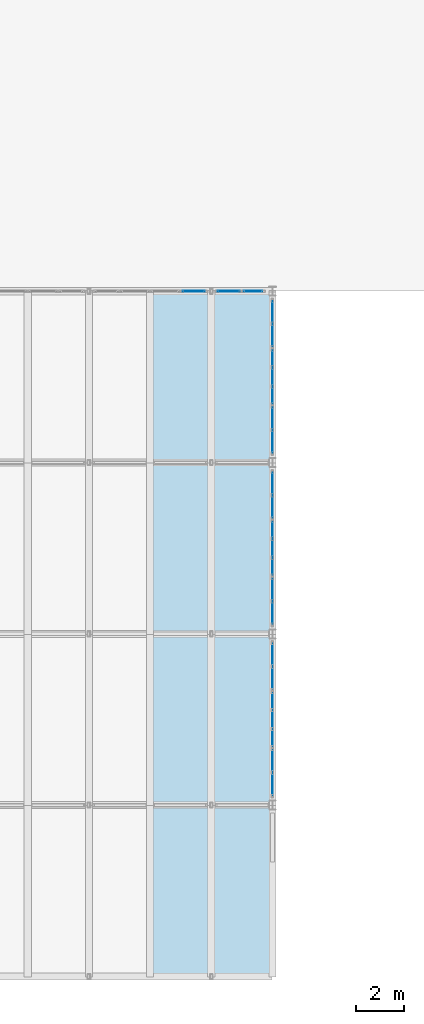
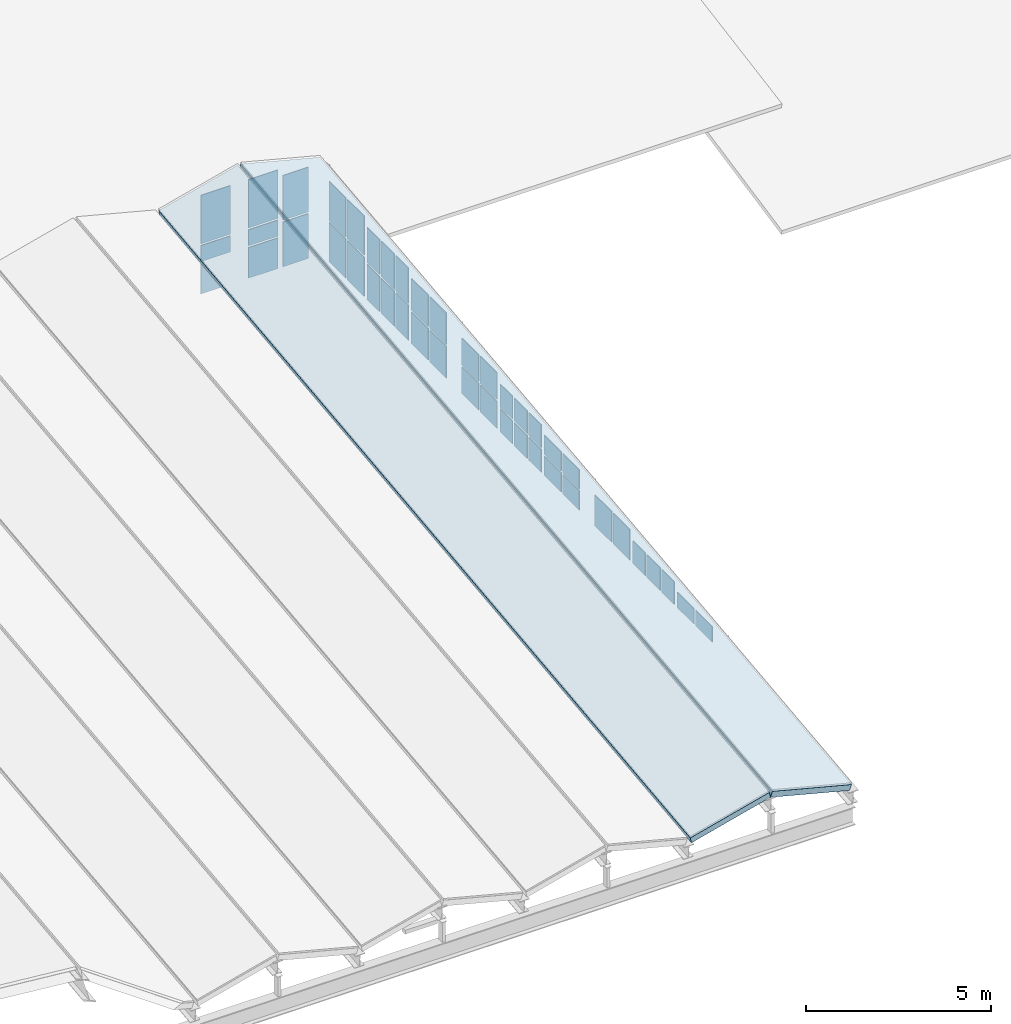
# One storey, part 29 of 39: 43 plates, 2 slabs, 13 elements without a shape of their own.
"""IFC4 building model written with IfcOpenShell, lengths in metres."""

from ifc_helpers import new_model, si_unit, direction, frame, origin, origin_2d, place, context, subcontext, project, spatial, polyline, rectangle, outline, extrude, material, layer, layer_set, type_object, element, aggregate, save


model = new_model("IFC4")

# Units and contexts
model_context = context("Model", 3, precision=1e-05, world=origin(), true_north=direction((0.0, 1.0)))
body_context = subcontext(model_context, "Body", "Model", "MODEL_VIEW")
ifc_project = project(units=[si_unit("LENGTHUNIT", "METRE"), si_unit("AREAUNIT", "SQUARE_METRE"), si_unit("VOLUMEUNIT", "CUBIC_METRE"), si_unit("PLANEANGLEUNIT", "RADIAN"), si_unit("MASSUNIT", "GRAM", prefix="KILO"), si_unit("THERMODYNAMICTEMPERATUREUNIT", "KELVIN"), si_unit("POWERUNIT", "WATT")], contexts=[model_context])

# Site, building, storey
site_placement = place(None, origin())
site = spatial("IfcSite", under=ifc_project, at=site_placement, CompositionType="ELEMENT")
building_placement = place(site_placement, origin())
building = spatial("IfcBuilding", under=site, at=building_placement, Name="Kaldorven Railside Theatre", CompositionType="ELEMENT")
storey_placement = place(building_placement, frame((0.0, 0.0, 27.300048828125)))
storey = spatial("IfcBuildingStorey", under=building, at=storey_placement, Name="ROOF", CompositionType="ELEMENT", Elevation=27.300048828125)

# Curtain wall, plates
ifc_material_1 = material(Name="Low-E laminated solar-control glass", Category="glass")
ifc_layer_1 = layer(ifc_material_1, 0.159912109375, Name="Low-E laminated solar-control glass")
ifc_layer_set_1 = layer_set([ifc_layer_1], Name="Low-E laminated solar-control glass")
curtain_wall_type_1 = type_object("IfcCurtainWallType", Name="CWT-48", PredefinedType="USERDEFINED", material=ifc_layer_set_1)
curtain_wall_1_placement = place(storey_placement, origin())
curtain_wall_1 = element("IfcCurtainWall", 1, at=curtain_wall_1_placement, inside=storey, type_object=curtain_wall_type_1, Name="Fly-Tower North Crown Clerestory CWG-088", ObjectType="FLUTED GLAZING", PredefinedType="USERDEFINED")
ifc_layer_2 = layer(ifc_material_1, 0.028076171875, Name="Low-E laminated solar-control glass")
ifc_layer_set_2 = layer_set([ifc_layer_2], Name="Low-E laminated solar-control glass")
plate_type = type_object("IfcPlateType", Name="CWP-GLZ28", PredefinedType="CURTAIN_PANEL", material=ifc_layer_set_2)
plate_1_placement = place(storey_placement, frame((119.8857421875, 112.800048828125, 0.080078125), z_axis=(0.0, 0.0, 1.0), x_axis=(1.0, 0.0, 0.0)))
plate_1 = element("IfcPlate", 2, at=plate_1_placement, type_object=plate_type, Name="CWG-088 panel 1.1", PredefinedType="CURTAIN_PANEL", context=body_context, shape_type="SweptSolid", body=[
    extrude(rectangle(XDim=0.925537109375, YDim=0.028076171875, at=origin_2d()), origin(), (0.0, 0.0, 1.0), 1.010009765625),
])
plate_2_placement = place(storey_placement, frame((119.8857421875, 112.800048828125, 1.14990234375), z_axis=(0.0, 0.0, 1.0), x_axis=(1.0, 0.0, 0.0)))
plate_2 = element("IfcPlate", 3, at=plate_2_placement, type_object=plate_type, Name="CWG-088 panel 1.2", PredefinedType="CURTAIN_PANEL", context=body_context, shape_type="SweptSolid", body=[
    extrude(rectangle(XDim=0.925537109375, YDim=0.028076171875, at=origin_2d()), origin(), (0.0, 0.0, 1.0), 0.530029296875),
])
plate_3_placement = place(storey_placement, frame((119.8857421875, 112.800048828125, 1.739990234375), z_axis=(0.0, 0.0, 1.0), x_axis=(1.0, 0.0, 0.0)))
plate_3 = element("IfcPlate", 4, at=plate_3_placement, type_object=plate_type, Name="CWG-088 panel 1.3", PredefinedType="CURTAIN_PANEL", context=body_context, shape_type="SweptSolid", body=[
    extrude(rectangle(XDim=0.925537109375, YDim=0.028076171875, at=origin_2d()), origin(), (0.0, 0.0, 1.0), 1.60009765625),
])
aggregate(curtain_wall_1, [plate_1, plate_2, plate_3])

curtain_wall_2_placement = place(storey_placement, origin())
curtain_wall_2 = element("IfcCurtainWall", 5, at=curtain_wall_2_placement, inside=storey, type_object=curtain_wall_type_1, Name="Fly-Tower North Crown Clerestory CWG-089", ObjectType="FLUTED GLAZING", PredefinedType="USERDEFINED")
plate_4_placement = place(storey_placement, frame((121.371337890625, 112.800048828125, 0.080078125), z_axis=(0.0, 0.0, 1.0), x_axis=(1.0, 0.0, 0.0)))
plate_4 = element("IfcPlate", 6, at=plate_4_placement, type_object=plate_type, Name="CWG-089 panel 1.1", PredefinedType="CURTAIN_PANEL", context=body_context, shape_type="SweptSolid", body=[
    extrude(rectangle(XDim=0.92578125, YDim=0.028076171875, at=origin_2d()), origin(), (0.0, 0.0, 1.0), 1.010009765625),
])
plate_5_placement = place(storey_placement, frame((121.371337890625, 112.800048828125, 1.14990234375), z_axis=(0.0, 0.0, 1.0), x_axis=(1.0, 0.0, 0.0)))
plate_5 = element("IfcPlate", 7, at=plate_5_placement, type_object=plate_type, Name="CWG-089 panel 1.2", PredefinedType="CURTAIN_PANEL", context=body_context, shape_type="SweptSolid", body=[
    extrude(rectangle(XDim=0.92578125, YDim=0.028076171875, at=origin_2d()), origin(), (0.0, 0.0, 1.0), 0.530029296875),
])
plate_6_placement = place(storey_placement, frame((121.371337890625, 112.800048828125, 1.739990234375), z_axis=(0.0, 0.0, 1.0), x_axis=(1.0, 0.0, 0.0)))
plate_6 = element("IfcPlate", 8, at=plate_6_placement, type_object=plate_type, Name="CWG-089 panel 1.3", PredefinedType="CURTAIN_PANEL", context=body_context, shape_type="SweptSolid", body=[
    extrude(rectangle(XDim=0.92578125, YDim=0.028076171875, at=origin_2d()), origin(), (0.0, 0.0, 1.0), 1.60009765625),
])
aggregate(curtain_wall_2, [plate_4, plate_5, plate_6])

ifc_layer_3 = layer(ifc_material_1, 0.159912109375, Name="Low-E laminated solar-control glass")
ifc_layer_set_3 = layer_set([ifc_layer_3], Name="Low-E laminated solar-control glass")
curtain_wall_type_2 = type_object("IfcCurtainWallType", Name="CWT-47", PredefinedType="USERDEFINED", material=ifc_layer_set_3)
curtain_wall_3_placement = place(storey_placement, origin())
curtain_wall_3 = element("IfcCurtainWall", 9, at=curtain_wall_3_placement, inside=storey, type_object=curtain_wall_type_2, Name="Fly-Tower North Crown Clerestory CWG-090", ObjectType="FLUTED GLAZING", PredefinedType="USERDEFINED")
plate_7_placement = place(storey_placement, frame((122.38720703125, 112.800048828125, 0.080078125), z_axis=(0.0, 0.0, 1.0), x_axis=(1.0, 0.0, 0.0)))
plate_7 = element("IfcPlate", 10, at=plate_7_placement, type_object=plate_type, Name="CWG-090 panel 1.1", PredefinedType="CURTAIN_PANEL", context=body_context, shape_type="SweptSolid", body=[
    extrude(rectangle(XDim=0.78564453125, YDim=0.028076171875, at=origin_2d()), origin(), (0.0, 0.0, 1.0), 1.47998046875),
])
plate_8_placement = place(storey_placement, frame((122.38720703125, 112.800048828125, 1.619873046875), z_axis=(0.0, 0.0, 1.0), x_axis=(1.0, 0.0, 0.0)))
plate_8 = element("IfcPlate", 11, at=plate_8_placement, type_object=plate_type, Name="CWG-090 panel 1.2", PredefinedType="CURTAIN_PANEL", context=body_context, shape_type="SweptSolid", body=[
    extrude(rectangle(XDim=0.78564453125, YDim=0.028076171875, at=origin_2d()), origin(), (0.0, 0.0, 1.0), 1.47998046875),
])
aggregate(curtain_wall_3, [plate_7, plate_8])

ifc_layer_4 = layer(ifc_material_1, 0.159912109375, Name="Low-E laminated solar-control glass")
ifc_layer_set_4 = layer_set([ifc_layer_4], Name="Low-E laminated solar-control glass")
curtain_wall_type_3 = type_object("IfcCurtainWallType", Name="CWT-53", PredefinedType="USERDEFINED", material=ifc_layer_set_4)
curtain_wall_4_placement = place(storey_placement, origin())
curtain_wall_4 = element("IfcCurtainWall", 12, at=curtain_wall_4_placement, inside=storey, type_object=curtain_wall_type_3, Name="Fly-Tower East Crown Clerestory CWG-102", ObjectType="FLUTED GLAZING", PredefinedType="USERDEFINED")
plate_9_placement = place(storey_placement, frame((123.199951171875, 92.074951171875, 0.080078125), z_axis=(0.0, 0.0, 1.0), x_axis=(0.0, 1.0, 0.0)))
plate_9 = element("IfcPlate", 13, at=plate_9_placement, type_object=plate_type, Name="CWG-102 panel 1.1", PredefinedType="CURTAIN_PANEL", context=body_context, shape_type="SweptSolid", body=[
    extrude(rectangle(XDim=0.909912109375, YDim=0.028076171875, at=origin_2d()), origin(), (0.0, 0.0, 1.0), 0.510009765625),
])
plate_10_placement = place(storey_placement, frame((123.199951171875, 93.06494140625, 0.080078125), z_axis=(0.0, 0.0, 1.0), x_axis=(0.0, 1.0, 0.0)))
plate_10 = element("IfcPlate", 14, at=plate_10_placement, type_object=plate_type, Name="CWG-102 panel 2.1", PredefinedType="CURTAIN_PANEL", context=body_context, shape_type="SweptSolid", body=[
    extrude(rectangle(XDim=0.909912109375, YDim=0.028076171875, at=origin_2d()), origin(), (0.0, 0.0, 1.0), 0.510009765625),
])
aggregate(curtain_wall_4, [plate_9, plate_10])

ifc_layer_5 = layer(ifc_material_1, 0.159912109375, Name="Low-E laminated solar-control glass")
ifc_layer_set_5 = layer_set([ifc_layer_5], Name="Low-E laminated solar-control glass")
curtain_wall_type_4 = type_object("IfcCurtainWallType", Name="CWT-27", PredefinedType="USERDEFINED", material=ifc_layer_set_5)
curtain_wall_5_placement = place(storey_placement, origin())
curtain_wall_5 = element("IfcCurtainWall", 15, at=curtain_wall_5_placement, inside=storey, type_object=curtain_wall_type_4, Name="Fly-Tower East Crown Clerestory CWG-103", ObjectType="FLUTED GLAZING", PredefinedType="USERDEFINED")
plate_11_placement = place(storey_placement, frame((123.199951171875, 94.02001953125, 0.079833984375), z_axis=(0.0, 0.0, 1.0), x_axis=(0.0, 1.0, 0.0)))
plate_11 = element("IfcPlate", 16, at=plate_11_placement, type_object=plate_type, Name="CWG-103 panel 1.1", PredefinedType="CURTAIN_PANEL", context=body_context, shape_type="SweptSolid", body=[
    extrude(rectangle(XDim=0.679931640625, YDim=0.028076171875, at=origin_2d()), origin(), (0.0, 0.0, 1.0), 0.75),
])
plate_12_placement = place(storey_placement, frame((123.199951171875, 94.800048828125, 0.079833984375), z_axis=(0.0, 0.0, 1.0), x_axis=(0.0, 1.0, 0.0)))
plate_12 = element("IfcPlate", 17, at=plate_12_placement, type_object=plate_type, Name="CWG-103 panel 2.1", PredefinedType="CURTAIN_PANEL", context=body_context, shape_type="SweptSolid", body=[
    extrude(rectangle(XDim=0.719970703125, YDim=0.028076171875, at=origin_2d()), origin(), (0.0, 0.0, 1.0), 0.75),
])
plate_13_placement = place(storey_placement, frame((123.199951171875, 95.580078125, 0.079833984375), z_axis=(0.0, 0.0, 1.0), x_axis=(0.0, 1.0, 0.0)))
plate_13 = element("IfcPlate", 18, at=plate_13_placement, type_object=plate_type, Name="CWG-103 panel 3.1", PredefinedType="CURTAIN_PANEL", context=body_context, shape_type="SweptSolid", body=[
    extrude(rectangle(XDim=0.679931640625, YDim=0.028076171875, at=origin_2d()), origin(), (0.0, 0.0, 1.0), 0.75),
])
aggregate(curtain_wall_5, [plate_11, plate_12, plate_13])

ifc_layer_6 = layer(ifc_material_1, 0.159912109375, Name="Low-E laminated solar-control glass")
ifc_layer_set_6 = layer_set([ifc_layer_6], Name="Low-E laminated solar-control glass")
curtain_wall_type_5 = type_object("IfcCurtainWallType", Name="CWT-54", PredefinedType="USERDEFINED", material=ifc_layer_set_6)
curtain_wall_6_placement = place(storey_placement, origin())
curtain_wall_6 = element("IfcCurtainWall", 19, at=curtain_wall_6_placement, inside=storey, type_object=curtain_wall_type_5, Name="Fly-Tower East Crown Clerestory CWG-104", ObjectType="FLUTED GLAZING", PredefinedType="USERDEFINED")
plate_14_placement = place(storey_placement, frame((123.199951171875, 96.534912109375, 0.079833984375), z_axis=(0.0, 0.0, 1.0), x_axis=(0.0, 1.0, 0.0)))
plate_14 = element("IfcPlate", 20, at=plate_14_placement, type_object=plate_type, Name="CWG-104 panel 1.1", PredefinedType="CURTAIN_PANEL", context=body_context, shape_type="SweptSolid", body=[
    extrude(rectangle(XDim=0.909912109375, YDim=0.028076171875, at=origin_2d()), origin(), (0.0, 0.0, 1.0), 1.02001953125),
])
plate_15_placement = place(storey_placement, frame((123.199951171875, 97.52490234375, 0.079833984375), z_axis=(0.0, 0.0, 1.0), x_axis=(0.0, 1.0, 0.0)))
plate_15 = element("IfcPlate", 21, at=plate_15_placement, type_object=plate_type, Name="CWG-104 panel 2.1", PredefinedType="CURTAIN_PANEL", context=body_context, shape_type="SweptSolid", body=[
    extrude(rectangle(XDim=0.909912109375, YDim=0.028076171875, at=origin_2d()), origin(), (0.0, 0.0, 1.0), 1.02001953125),
])
aggregate(curtain_wall_6, [plate_14, plate_15])

ifc_layer_7 = layer(ifc_material_1, 0.159912109375, Name="Low-E laminated solar-control glass")
ifc_layer_set_7 = layer_set([ifc_layer_7], Name="Low-E laminated solar-control glass")
curtain_wall_type_6 = type_object("IfcCurtainWallType", Name="CWT-55", PredefinedType="USERDEFINED", material=ifc_layer_set_7)
curtain_wall_7_placement = place(storey_placement, origin())
curtain_wall_7 = element("IfcCurtainWall", 22, at=curtain_wall_7_placement, inside=storey, type_object=curtain_wall_type_6, Name="Fly-Tower East Crown Clerestory CWG-105", ObjectType="FLUTED GLAZING", PredefinedType="USERDEFINED")
plate_16_placement = place(storey_placement, frame((123.199951171875, 99.27490234375, 0.080078125), z_axis=(0.0, 0.0, 1.0), x_axis=(0.0, 1.0, 0.0)))
plate_16 = element("IfcPlate", 23, at=plate_16_placement, type_object=plate_type, Name="CWG-105 panel 1.1", PredefinedType="CURTAIN_PANEL", context=body_context, shape_type="SweptSolid", body=[
    extrude(rectangle(XDim=0.909912109375, YDim=0.028076171875, at=origin_2d()), origin(), (0.0, 0.0, 1.0), 0.635009765625),
])
plate_17_placement = place(storey_placement, frame((123.199951171875, 99.27490234375, 0.77490234375), z_axis=(0.0, 0.0, 1.0), x_axis=(0.0, 1.0, 0.0)))
plate_17 = element("IfcPlate", 24, at=plate_17_placement, type_object=plate_type, Name="CWG-105 panel 1.2", PredefinedType="CURTAIN_PANEL", context=body_context, shape_type="SweptSolid", body=[
    extrude(rectangle(XDim=0.909912109375, YDim=0.028076171875, at=origin_2d()), origin(), (0.0, 0.0, 1.0), 0.635009765625),
])
plate_18_placement = place(storey_placement, frame((123.199951171875, 100.264892578125, 0.080078125), z_axis=(0.0, 0.0, 1.0), x_axis=(0.0, 1.0, 0.0)))
plate_18 = element("IfcPlate", 25, at=plate_18_placement, type_object=plate_type, Name="CWG-105 panel 2.1", PredefinedType="CURTAIN_PANEL", context=body_context, shape_type="SweptSolid", body=[
    extrude(rectangle(XDim=0.909912109375, YDim=0.028076171875, at=origin_2d()), origin(), (0.0, 0.0, 1.0), 0.635009765625),
])
plate_19_placement = place(storey_placement, frame((123.199951171875, 100.264892578125, 0.77490234375), z_axis=(0.0, 0.0, 1.0), x_axis=(0.0, 1.0, 0.0)))
plate_19 = element("IfcPlate", 26, at=plate_19_placement, type_object=plate_type, Name="CWG-105 panel 2.2", PredefinedType="CURTAIN_PANEL", context=body_context, shape_type="SweptSolid", body=[
    extrude(rectangle(XDim=0.909912109375, YDim=0.028076171875, at=origin_2d()), origin(), (0.0, 0.0, 1.0), 0.635009765625),
])
aggregate(curtain_wall_7, [plate_16, plate_17, plate_18, plate_19])

ifc_layer_8 = layer(ifc_material_1, 0.159912109375, Name="Low-E laminated solar-control glass")
ifc_layer_set_8 = layer_set([ifc_layer_8], Name="Low-E laminated solar-control glass")
curtain_wall_type_7 = type_object("IfcCurtainWallType", Name="CWT-56", PredefinedType="USERDEFINED", material=ifc_layer_set_8)
curtain_wall_8_placement = place(storey_placement, origin())
curtain_wall_8 = element("IfcCurtainWall", 27, at=curtain_wall_8_placement, inside=storey, type_object=curtain_wall_type_7, Name="Fly-Tower East Crown Clerestory CWG-106", ObjectType="FLUTED GLAZING", PredefinedType="USERDEFINED")
plate_20_placement = place(storey_placement, frame((123.199951171875, 101.219970703125, 0.080078125), z_axis=(0.0, 0.0, 1.0), x_axis=(0.0, 1.0, 0.0)))
plate_20 = element("IfcPlate", 28, at=plate_20_placement, type_object=plate_type, Name="CWG-106 panel 1.1", PredefinedType="CURTAIN_PANEL", context=body_context, shape_type="SweptSolid", body=[
    extrude(rectangle(XDim=0.679931640625, YDim=0.028076171875, at=origin_2d()), origin(), (0.0, 0.0, 1.0), 0.7548828125),
])
plate_21_placement = place(storey_placement, frame((123.199951171875, 101.219970703125, 0.89501953125), z_axis=(0.0, 0.0, 1.0), x_axis=(0.0, 1.0, 0.0)))
plate_21 = element("IfcPlate", 29, at=plate_21_placement, type_object=plate_type, Name="CWG-106 panel 1.2", PredefinedType="CURTAIN_PANEL", context=body_context, shape_type="SweptSolid", body=[
    extrude(rectangle(XDim=0.679931640625, YDim=0.028076171875, at=origin_2d()), origin(), (0.0, 0.0, 1.0), 0.7548828125),
])
plate_22_placement = place(storey_placement, frame((123.199951171875, 102.0, 0.080078125), z_axis=(0.0, 0.0, 1.0), x_axis=(0.0, 1.0, 0.0)))
plate_22 = element("IfcPlate", 30, at=plate_22_placement, type_object=plate_type, Name="CWG-106 panel 2.1", PredefinedType="CURTAIN_PANEL", context=body_context, shape_type="SweptSolid", body=[
    extrude(rectangle(XDim=0.719970703125, YDim=0.028076171875, at=origin_2d()), origin(), (0.0, 0.0, 1.0), 0.7548828125),
])
plate_23_placement = place(storey_placement, frame((123.199951171875, 102.0, 0.89501953125), z_axis=(0.0, 0.0, 1.0), x_axis=(0.0, 1.0, 0.0)))
plate_23 = element("IfcPlate", 31, at=plate_23_placement, type_object=plate_type, Name="CWG-106 panel 2.2", PredefinedType="CURTAIN_PANEL", context=body_context, shape_type="SweptSolid", body=[
    extrude(rectangle(XDim=0.719970703125, YDim=0.028076171875, at=origin_2d()), origin(), (0.0, 0.0, 1.0), 0.7548828125),
])
plate_24_placement = place(storey_placement, frame((123.199951171875, 102.780029296875, 0.080078125), z_axis=(0.0, 0.0, 1.0), x_axis=(0.0, 1.0, 0.0)))
plate_24 = element("IfcPlate", 32, at=plate_24_placement, type_object=plate_type, Name="CWG-106 panel 3.1", PredefinedType="CURTAIN_PANEL", context=body_context, shape_type="SweptSolid", body=[
    extrude(rectangle(XDim=0.679931640625, YDim=0.028076171875, at=origin_2d()), origin(), (0.0, 0.0, 1.0), 0.7548828125),
])
plate_25_placement = place(storey_placement, frame((123.199951171875, 102.780029296875, 0.89501953125), z_axis=(0.0, 0.0, 1.0), x_axis=(0.0, 1.0, 0.0)))
plate_25 = element("IfcPlate", 33, at=plate_25_placement, type_object=plate_type, Name="CWG-106 panel 3.2", PredefinedType="CURTAIN_PANEL", context=body_context, shape_type="SweptSolid", body=[
    extrude(rectangle(XDim=0.679931640625, YDim=0.028076171875, at=origin_2d()), origin(), (0.0, 0.0, 1.0), 0.7548828125),
])
aggregate(curtain_wall_8, [plate_20, plate_21, plate_22, plate_23, plate_24, plate_25])

ifc_layer_9 = layer(ifc_material_1, 0.159912109375, Name="Low-E laminated solar-control glass")
ifc_layer_set_9 = layer_set([ifc_layer_9], Name="Low-E laminated solar-control glass")
curtain_wall_type_8 = type_object("IfcCurtainWallType", Name="CWT-57", PredefinedType="USERDEFINED", material=ifc_layer_set_9)
curtain_wall_9_placement = place(storey_placement, origin())
curtain_wall_9 = element("IfcCurtainWall", 34, at=curtain_wall_9_placement, inside=storey, type_object=curtain_wall_type_8, Name="Fly-Tower East Crown Clerestory CWG-107", ObjectType="FLUTED GLAZING", PredefinedType="USERDEFINED")
plate_26_placement = place(storey_placement, frame((123.199951171875, 103.735107421875, 0.080078125), z_axis=(0.0, 0.0, 1.0), x_axis=(0.0, 1.0, 0.0)))
plate_26 = element("IfcPlate", 35, at=plate_26_placement, type_object=plate_type, Name="CWG-107 panel 1.1", PredefinedType="CURTAIN_PANEL", context=body_context, shape_type="SweptSolid", body=[
    extrude(rectangle(XDim=0.909912109375, YDim=0.028076171875, at=origin_2d()), origin(), (0.0, 0.0, 1.0), 0.889892578125),
])
plate_27_placement = place(storey_placement, frame((123.199951171875, 103.735107421875, 1.02978515625), z_axis=(0.0, 0.0, 1.0), x_axis=(0.0, 1.0, 0.0)))
plate_27 = element("IfcPlate", 36, at=plate_27_placement, type_object=plate_type, Name="CWG-107 panel 1.2", PredefinedType="CURTAIN_PANEL", context=body_context, shape_type="SweptSolid", body=[
    extrude(rectangle(XDim=0.909912109375, YDim=0.028076171875, at=origin_2d()), origin(), (0.0, 0.0, 1.0), 0.889892578125),
])
plate_28_placement = place(storey_placement, frame((123.199951171875, 104.72509765625, 0.080078125), z_axis=(0.0, 0.0, 1.0), x_axis=(0.0, 1.0, 0.0)))
plate_28 = element("IfcPlate", 37, at=plate_28_placement, type_object=plate_type, Name="CWG-107 panel 2.1", PredefinedType="CURTAIN_PANEL", context=body_context, shape_type="SweptSolid", body=[
    extrude(rectangle(XDim=0.909912109375, YDim=0.028076171875, at=origin_2d()), origin(), (0.0, 0.0, 1.0), 0.889892578125),
])
plate_29_placement = place(storey_placement, frame((123.199951171875, 104.72509765625, 1.02978515625), z_axis=(0.0, 0.0, 1.0), x_axis=(0.0, 1.0, 0.0)))
plate_29 = element("IfcPlate", 38, at=plate_29_placement, type_object=plate_type, Name="CWG-107 panel 2.2", PredefinedType="CURTAIN_PANEL", context=body_context, shape_type="SweptSolid", body=[
    extrude(rectangle(XDim=0.909912109375, YDim=0.028076171875, at=origin_2d()), origin(), (0.0, 0.0, 1.0), 0.889892578125),
])
aggregate(curtain_wall_9, [plate_26, plate_27, plate_28, plate_29])

ifc_layer_10 = layer(ifc_material_1, 0.159912109375, Name="Low-E laminated solar-control glass")
ifc_layer_set_10 = layer_set([ifc_layer_10], Name="Low-E laminated solar-control glass")
curtain_wall_type_9 = type_object("IfcCurtainWallType", Name="CWT-58", PredefinedType="USERDEFINED", material=ifc_layer_set_10)
curtain_wall_10_placement = place(storey_placement, origin())
curtain_wall_10 = element("IfcCurtainWall", 39, at=curtain_wall_10_placement, inside=storey, type_object=curtain_wall_type_9, Name="Fly-Tower East Crown Clerestory CWG-108", ObjectType="FLUTED GLAZING", PredefinedType="USERDEFINED")
plate_30_placement = place(storey_placement, frame((123.199951171875, 106.47509765625, 0.080078125), z_axis=(0.0, 0.0, 1.0), x_axis=(0.0, 1.0, 0.0)))
plate_30 = element("IfcPlate", 40, at=plate_30_placement, type_object=plate_type, Name="CWG-108 panel 1.1", PredefinedType="CURTAIN_PANEL", context=body_context, shape_type="SweptSolid", body=[
    extrude(rectangle(XDim=0.909912109375, YDim=0.028076171875, at=origin_2d()), origin(), (0.0, 0.0, 1.0), 1.044921875),
])
plate_31_placement = place(storey_placement, frame((123.199951171875, 106.47509765625, 1.18505859375), z_axis=(0.0, 0.0, 1.0), x_axis=(0.0, 1.0, 0.0)))
plate_31 = element("IfcPlate", 41, at=plate_31_placement, type_object=plate_type, Name="CWG-108 panel 1.2", PredefinedType="CURTAIN_PANEL", context=body_context, shape_type="SweptSolid", body=[
    extrude(rectangle(XDim=0.909912109375, YDim=0.028076171875, at=origin_2d()), origin(), (0.0, 0.0, 1.0), 1.044921875),
])
plate_32_placement = place(storey_placement, frame((123.199951171875, 107.465087890625, 0.080078125), z_axis=(0.0, 0.0, 1.0), x_axis=(0.0, 1.0, 0.0)))
plate_32 = element("IfcPlate", 42, at=plate_32_placement, type_object=plate_type, Name="CWG-108 panel 2.1", PredefinedType="CURTAIN_PANEL", context=body_context, shape_type="SweptSolid", body=[
    extrude(rectangle(XDim=0.909912109375, YDim=0.028076171875, at=origin_2d()), origin(), (0.0, 0.0, 1.0), 1.044921875),
])
plate_33_placement = place(storey_placement, frame((123.199951171875, 107.465087890625, 1.18505859375), z_axis=(0.0, 0.0, 1.0), x_axis=(0.0, 1.0, 0.0)))
plate_33 = element("IfcPlate", 43, at=plate_33_placement, type_object=plate_type, Name="CWG-108 panel 2.2", PredefinedType="CURTAIN_PANEL", context=body_context, shape_type="SweptSolid", body=[
    extrude(rectangle(XDim=0.909912109375, YDim=0.028076171875, at=origin_2d()), origin(), (0.0, 0.0, 1.0), 1.044921875),
])
aggregate(curtain_wall_10, [plate_30, plate_31, plate_32, plate_33])

ifc_layer_11 = layer(ifc_material_1, 0.159912109375, Name="Low-E laminated solar-control glass")
ifc_layer_set_11 = layer_set([ifc_layer_11], Name="Low-E laminated solar-control glass")
curtain_wall_type_10 = type_object("IfcCurtainWallType", Name="CWT-33", PredefinedType="USERDEFINED", material=ifc_layer_set_11)
curtain_wall_11_placement = place(storey_placement, origin())
curtain_wall_11 = element("IfcCurtainWall", 44, at=curtain_wall_11_placement, inside=storey, type_object=curtain_wall_type_10, Name="Fly-Tower East Crown Clerestory CWG-109", ObjectType="FLUTED GLAZING", PredefinedType="USERDEFINED")
plate_34_placement = place(storey_placement, frame((123.199951171875, 108.419921875, 0.079833984375), z_axis=(0.0, 0.0, 1.0), x_axis=(0.0, 1.0, 0.0)))
plate_34 = element("IfcPlate", 45, at=plate_34_placement, type_object=plate_type, Name="CWG-109 panel 1.1", PredefinedType="CURTAIN_PANEL", context=body_context, shape_type="SweptSolid", body=[
    extrude(rectangle(XDim=0.679931640625, YDim=0.028076171875, at=origin_2d()), origin(), (0.0, 0.0, 1.0), 1.1650390625),
])
plate_35_placement = place(storey_placement, frame((123.199951171875, 108.419921875, 1.304931640625), z_axis=(0.0, 0.0, 1.0), x_axis=(0.0, 1.0, 0.0)))
plate_35 = element("IfcPlate", 46, at=plate_35_placement, type_object=plate_type, Name="CWG-109 panel 1.2", PredefinedType="CURTAIN_PANEL", context=body_context, shape_type="SweptSolid", body=[
    extrude(rectangle(XDim=0.679931640625, YDim=0.028076171875, at=origin_2d()), origin(), (0.0, 0.0, 1.0), 1.1650390625),
])
plate_36_placement = place(storey_placement, frame((123.199951171875, 109.199951171875, 0.079833984375), z_axis=(0.0, 0.0, 1.0), x_axis=(0.0, 1.0, 0.0)))
plate_36 = element("IfcPlate", 47, at=plate_36_placement, type_object=plate_type, Name="CWG-109 panel 2.1", PredefinedType="CURTAIN_PANEL", context=body_context, shape_type="SweptSolid", body=[
    extrude(rectangle(XDim=0.719970703125, YDim=0.028076171875, at=origin_2d()), origin(), (0.0, 0.0, 1.0), 1.1650390625),
])
plate_37_placement = place(storey_placement, frame((123.199951171875, 109.199951171875, 1.304931640625), z_axis=(0.0, 0.0, 1.0), x_axis=(0.0, 1.0, 0.0)))
plate_37 = element("IfcPlate", 48, at=plate_37_placement, type_object=plate_type, Name="CWG-109 panel 2.2", PredefinedType="CURTAIN_PANEL", context=body_context, shape_type="SweptSolid", body=[
    extrude(rectangle(XDim=0.719970703125, YDim=0.028076171875, at=origin_2d()), origin(), (0.0, 0.0, 1.0), 1.1650390625),
])
plate_38_placement = place(storey_placement, frame((123.199951171875, 109.97998046875, 0.079833984375), z_axis=(0.0, 0.0, 1.0), x_axis=(0.0, 1.0, 0.0)))
plate_38 = element("IfcPlate", 49, at=plate_38_placement, type_object=plate_type, Name="CWG-109 panel 3.1", PredefinedType="CURTAIN_PANEL", context=body_context, shape_type="SweptSolid", body=[
    extrude(rectangle(XDim=0.679931640625, YDim=0.028076171875, at=origin_2d()), origin(), (0.0, 0.0, 1.0), 1.1650390625),
])
plate_39_placement = place(storey_placement, frame((123.199951171875, 109.97998046875, 1.304931640625), z_axis=(0.0, 0.0, 1.0), x_axis=(0.0, 1.0, 0.0)))
plate_39 = element("IfcPlate", 50, at=plate_39_placement, type_object=plate_type, Name="CWG-109 panel 3.2", PredefinedType="CURTAIN_PANEL", context=body_context, shape_type="SweptSolid", body=[
    extrude(rectangle(XDim=0.679931640625, YDim=0.028076171875, at=origin_2d()), origin(), (0.0, 0.0, 1.0), 1.1650390625),
])
aggregate(curtain_wall_11, [plate_34, plate_35, plate_36, plate_37, plate_38, plate_39])

ifc_layer_12 = layer(ifc_material_1, 0.159912109375, Name="Low-E laminated solar-control glass")
ifc_layer_set_12 = layer_set([ifc_layer_12], Name="Low-E laminated solar-control glass")
curtain_wall_type_11 = type_object("IfcCurtainWallType", Name="CWT-59", PredefinedType="USERDEFINED", material=ifc_layer_set_12)
curtain_wall_12_placement = place(storey_placement, origin())
curtain_wall_12 = element("IfcCurtainWall", 51, at=curtain_wall_12_placement, inside=storey, type_object=curtain_wall_type_11, Name="Fly-Tower East Crown Clerestory CWG-110", ObjectType="FLUTED GLAZING", PredefinedType="USERDEFINED")
plate_40_placement = place(storey_placement, frame((123.199951171875, 110.93505859375, 0.080078125), z_axis=(0.0, 0.0, 1.0), x_axis=(0.0, 1.0, 0.0)))
plate_40 = element("IfcPlate", 52, at=plate_40_placement, type_object=plate_type, Name="CWG-110 panel 1.1", PredefinedType="CURTAIN_PANEL", context=body_context, shape_type="SweptSolid", body=[
    extrude(rectangle(XDim=0.909912109375, YDim=0.028076171875, at=origin_2d()), origin(), (0.0, 0.0, 1.0), 1.300048828125),
])
plate_41_placement = place(storey_placement, frame((123.199951171875, 110.93505859375, 1.43994140625), z_axis=(0.0, 0.0, 1.0), x_axis=(0.0, 1.0, 0.0)))
plate_41 = element("IfcPlate", 53, at=plate_41_placement, type_object=plate_type, Name="CWG-110 panel 1.2", PredefinedType="CURTAIN_PANEL", context=body_context, shape_type="SweptSolid", body=[
    extrude(rectangle(XDim=0.909912109375, YDim=0.028076171875, at=origin_2d()), origin(), (0.0, 0.0, 1.0), 1.300048828125),
])
plate_42_placement = place(storey_placement, frame((123.199951171875, 111.925048828125, 0.080078125), z_axis=(0.0, 0.0, 1.0), x_axis=(0.0, 1.0, 0.0)))
plate_42 = element("IfcPlate", 54, at=plate_42_placement, type_object=plate_type, Name="CWG-110 panel 2.1", PredefinedType="CURTAIN_PANEL", context=body_context, shape_type="SweptSolid", body=[
    extrude(rectangle(XDim=0.909912109375, YDim=0.028076171875, at=origin_2d()), origin(), (0.0, 0.0, 1.0), 1.300048828125),
])
plate_43_placement = place(storey_placement, frame((123.199951171875, 111.925048828125, 1.43994140625), z_axis=(0.0, 0.0, 1.0), x_axis=(0.0, 1.0, 0.0)))
plate_43 = element("IfcPlate", 55, at=plate_43_placement, type_object=plate_type, Name="CWG-110 panel 2.2", PredefinedType="CURTAIN_PANEL", context=body_context, shape_type="SweptSolid", body=[
    extrude(rectangle(XDim=0.909912109375, YDim=0.028076171875, at=origin_2d()), origin(), (0.0, 0.0, 1.0), 1.300048828125),
])
aggregate(curtain_wall_12, [plate_40, plate_41, plate_42, plate_43])

# Roof, slabs
ifc_material_2 = material(Name="Concrete C35/45", Category="concrete")
roof_type = type_object("IfcRoofType", Name="RF-FOLDED-FLY", PredefinedType="BUTTERFLY_ROOF", material=ifc_material_2)
roof_placement = place(storey_placement, origin())
roof = element("IfcRoof", 56, at=roof_placement, inside=storey, type_object=roof_type, Name="Fly-Tower 7-Bay Folded-Plate Crown Roof", PredefinedType="BUTTERFLY_ROOF")
ifc_layer_13 = layer(ifc_material_2, 0.199951171875, Name="Concrete C35/45")
ifc_layer_set_13 = layer_set([ifc_layer_13], Name="Concrete C35/45")
slab_type = type_object("IfcSlabType", Name="SLB-RSL-200", PredefinedType="ROOF", material=ifc_layer_set_13)
slab_1_placement = place(storey_placement, frame((118.10498046875, 84.0, 0.012451171875), z_axis=(-0.248882307017, -0.109593505226, 0.962313286236), x_axis=(0.968145055348, -5.034762e-06, 0.25038999936)))
slab_1 = element("IfcSlab", 57, at=slab_1_placement, type_object=slab_type, Name="V2 Folded-Plate Roof Facet V2-FP-07L", PredefinedType="ROOF", context=body_context, shape_type="SweptSolid", body=[
    extrude(outline(polyline([(0.0, 0.0), (2.557010117078264, -1.3877787807814457e-17), (3.378151649245436, 28.97459458320502), (0.8210804017962346, 28.974568678990362), (0.0, 0.0)])), origin(), (0.0, 0.0, -1.0), 0.199951171875),
])
slab_2_placement = place(storey_placement, frame((120.676513671875, 84.0, 0.652587890625), z_axis=(0.248882307017, -0.109593505226, 0.962313286236), x_axis=(0.968145055348, 5.034762e-06, -0.25038999936)))
slab_2 = element("IfcSlab", 58, at=slab_2_placement, type_object=slab_type, Name="V2 Folded-Plate Roof Facet V2-FP-07R", PredefinedType="ROOF", context=body_context, shape_type="SweptSolid", body=[
    extrude(outline(polyline([(0.0, 0.0), (2.557010117078264, 1.3877787807814457e-17), (1.7359297152820294, 28.974568678990362), (-0.8211415321671722, 28.974594583205022), (0.0, 0.0)])), origin(), (0.0, 0.0, -1.0), 0.199951171875),
])
aggregate(roof, [slab_1, slab_2])

save(model, "model.ifc")
